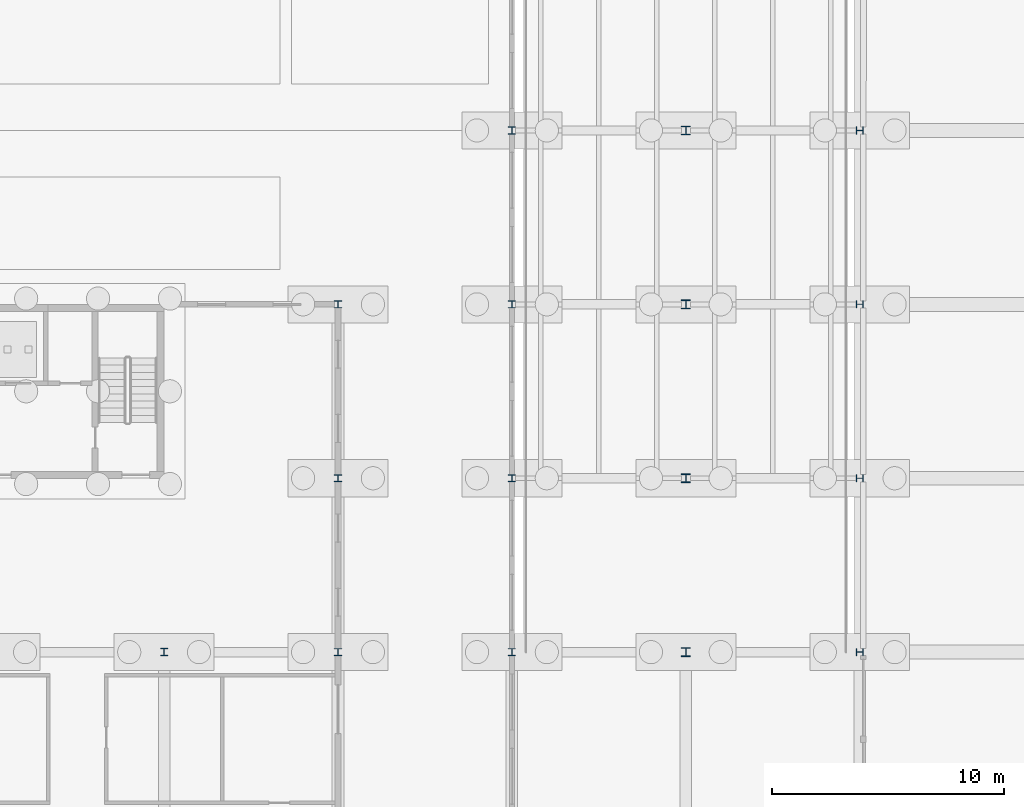
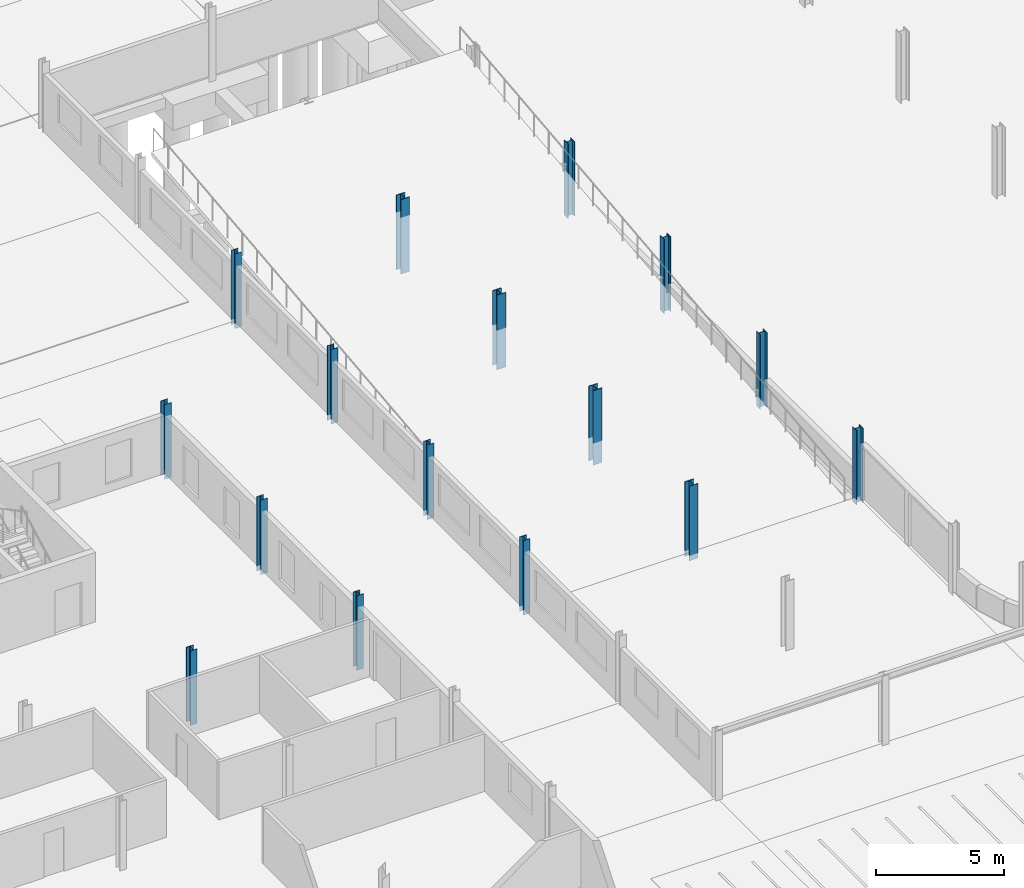
# One storey, part 29 of 130: 16 columns.
"""IFC4 building model written with IfcOpenShell, lengths in metres."""

from ifc_helpers import new_model, si_unit, direction, frame, origin, origin_2d, place, context, subcontext, project, spatial, i_section, extrude, material, material_profile, profile_set, type_object, element, save


model = new_model("IFC4")

# Units and contexts
model_context = context("Model", 3, precision=1e-05, world=origin(), true_north=direction((0.0, 1.0)))
body_context = subcontext(model_context, "Body", "Model", "MODEL_VIEW")
ifc_project = project(units=[si_unit("LENGTHUNIT", "METRE"), si_unit("AREAUNIT", "SQUARE_METRE"), si_unit("VOLUMEUNIT", "CUBIC_METRE"), si_unit("PLANEANGLEUNIT", "RADIAN"), si_unit("MASSUNIT", "GRAM", prefix="KILO")], contexts=[model_context])

# Site, building, storey
site_placement = place(None, origin())
site = spatial("IfcSite", under=ifc_project, at=site_placement, CompositionType="ELEMENT")
building_placement = place(site_placement, origin())
building = spatial("IfcBuilding", under=site, at=building_placement, Name="Parallax Yard Mobility Hub", CompositionType="ELEMENT")
storey_placement = place(building_placement, origin())
storey = spatial("IfcBuildingStorey", under=building, at=storey_placement, Name="L00", CompositionType="ELEMENT", Elevation=0.0)

# Columns
ifc_material = material(Name="Steel ASTM A992", Category="steel")
ifc_material_profile_1 = material_profile(ifc_material, i_section(OverallWidth=0.306884765625, OverallDepth=0.318115234375, WebThickness=0.01318359375, FlangeThickness=0.0205078125, FilletRadius=0.01513671875, at=origin_2d()), Name="W310x129")
ifc_profile_set_1 = profile_set([ifc_material_profile_1], Name="Steel ASTM A992")
column_type_1 = type_object("IfcColumnType", Name="W310x129 column", PredefinedType="COLUMN", material=ifc_profile_set_1)
for number, where, z_axis, x_axis, name in (
    (1, (195.0, 60.0, -0.25), (0.0, 0.0, 1.0), (0.0, 1.0, 0.0), "Column C3 level L00 at J/27 of ramped parking decks"),
    (2, (195.0, 52.5, -0.25), (0.0, 0.0, 1.0), (0.0, 1.0, 0.0), "Column C3 level L00 at H/27 of ramped parking decks"),
    (3, (195.0, 45.0, -0.25), (0.0, 0.0, 1.0), (0.0, 1.0, 0.0), "Column C3 level L00 at G/27 of ramped parking decks"),
    (4, (195.0, 37.5, -0.25), (0.0, 0.0, 1.0), (0.0, 1.0, 0.0), "Column C3 level L00 at F/27 of ramped parking decks"),
    (5, (165.0, 37.5, -0.25), (0.0, 0.0, 1.0), (1.0, 0.0, 0.0), "Column C3 level L00 at F/23 of bicycle and shared-mobility hall"),
):
    element("IfcColumn", number, at=place(storey_placement, frame(where, z_axis=z_axis, x_axis=x_axis)), inside=storey, type_object=column_type_1, Name=name, PredefinedType="COLUMN", context=body_context, shape_type="SweptSolid", body=[
        extrude(i_section(OverallWidth=0.306884765625, OverallDepth=0.318115234375, WebThickness=0.01318359375, FlangeThickness=0.0205078125, FilletRadius=0.01513671875, at=origin_2d()), origin(), (0.0, 0.0, 1.0), 3.550048828125),
    ])
ifc_material_profile_2 = material_profile(ifc_material, i_section(OverallWidth=0.304931640625, OverallDepth=0.306884765625, WebThickness=0.010009765625, FlangeThickness=0.015380859375, FilletRadius=0.01513671875, at=origin_2d()), Name="W310x97")
ifc_profile_set_2 = profile_set([ifc_material_profile_2], Name="Steel ASTM A992")
column_type_2 = type_object("IfcColumnType", Name="W310x97 column", PredefinedType="COLUMN", material=ifc_profile_set_2)
for number, where, z_axis, x_axis, name in (
    (6, (180.0, 37.5, -0.25), (0.0, 0.0, 1.0), (1.0, 0.0, 0.0), "Column C1 level L00 at F/25 of ramp house"),
    (7, (180.0, 45.0, -0.25), (0.0, 0.0, 1.0), (1.0, 0.0, 0.0), "Column C1 level L00 at G/25 of ramp house"),
    (8, (180.0, 52.5, -0.25), (0.0, 0.0, 1.0), (1.0, 0.0, 0.0), "Column C1 level L00 at H/25 of ramp house"),
    (9, (180.0, 60.0, -0.25), (0.0, 0.0, 1.0), (1.0, 0.0, 0.0), "Column C1 level L00 at J/25 of ramp house"),
    (10, (172.5, 37.5, -0.25), (0.0, 0.0, 1.0), (1.0, 0.0, 0.0), "Column C1 level L00 at F/24 of bicycle and shared-mobility hall"),
    (11, (172.5, 45.0, -0.25), (0.0, 0.0, 1.0), (1.0, 0.0, 0.0), "Column C1 level L00 at G/24 of bicycle and shared-mobility hall"),
    (12, (172.5, 52.5, -0.25), (0.0, 0.0, 1.0), (1.0, 0.0, 0.0), "Column C1 level L00 at H/24 of bicycle and shared-mobility hall"),
):
    element("IfcColumn", number, at=place(storey_placement, frame(where, z_axis=z_axis, x_axis=x_axis)), inside=storey, type_object=column_type_2, Name=name, PredefinedType="COLUMN", context=body_context, shape_type="SweptSolid", body=[
        extrude(i_section(OverallWidth=0.304931640625, OverallDepth=0.306884765625, WebThickness=0.010009765625, FlangeThickness=0.015380859375, FilletRadius=0.01513671875, at=origin_2d()), origin(), (0.0, 0.0, 1.0), 3.550048828125),
    ])
ifc_material_profile_3 = material_profile(ifc_material, i_section(OverallWidth=0.39404296875, OverallDepth=0.3759765625, WebThickness=0.017333984375, FlangeThickness=0.027587890625, FilletRadius=0.01513671875, at=origin_2d()), Name="W360x216")
ifc_profile_set_3 = profile_set([ifc_material_profile_3], Name="Steel ASTM A992")
column_type_3 = type_object("IfcColumnType", Name="W360x216 column", PredefinedType="COLUMN", material=ifc_profile_set_3)
for number, where, z_axis, x_axis, name in (
    (13, (187.5, 37.5, -0.25), (0.0, 0.0, 1.0), (1.0, 0.0, 0.0), "Column C9 level L00 at F/26 of ramp house"),
    (14, (187.5, 45.0, -0.25), (0.0, 0.0, 1.0), (1.0, 0.0, 0.0), "Column C9 level L00 at G/26 of ramp house"),
    (15, (187.5, 52.5, -0.25), (0.0, 0.0, 1.0), (1.0, 0.0, 0.0), "Column C9 level L00 at H/26 of ramp house"),
    (16, (187.5, 60.0, -0.25), (0.0, 0.0, 1.0), (1.0, 0.0, 0.0), "Column C9 level L00 at J/26 of ramp house"),
):
    element("IfcColumn", number, at=place(storey_placement, frame(where, z_axis=z_axis, x_axis=x_axis)), inside=storey, type_object=column_type_3, Name=name, PredefinedType="COLUMN", context=body_context, shape_type="SweptSolid", body=[
        extrude(i_section(OverallWidth=0.39404296875, OverallDepth=0.3759765625, WebThickness=0.017333984375, FlangeThickness=0.027587890625, FilletRadius=0.01513671875, at=origin_2d()), origin(), (0.0, 0.0, 1.0), 3.550048828125),
    ])

save(model, "model.ifc")
